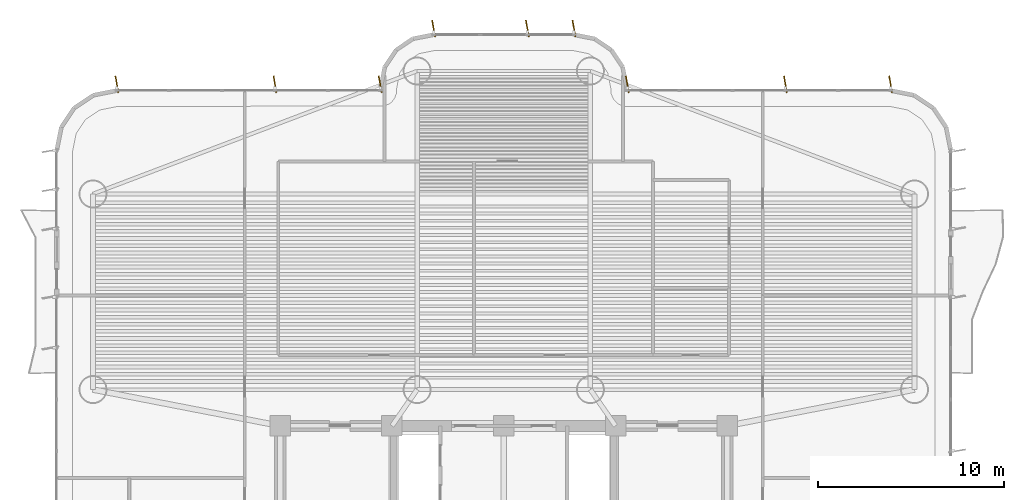
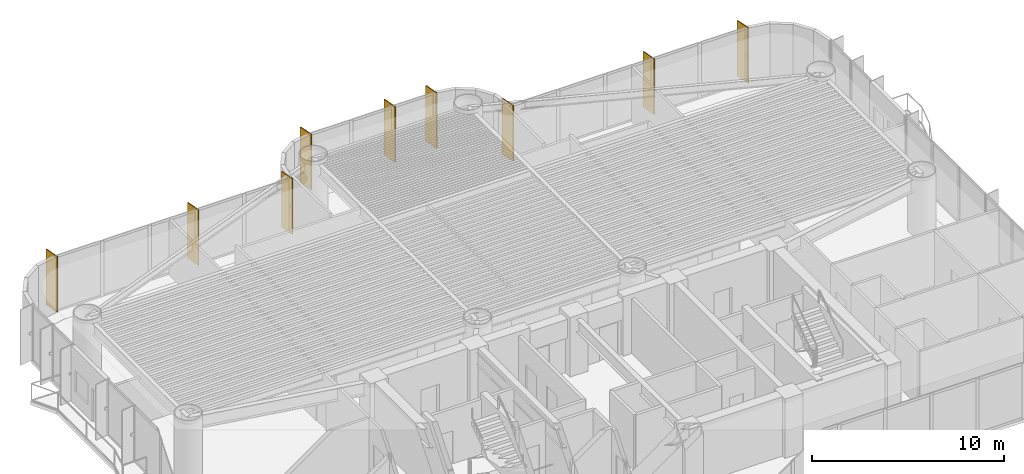
# One storey, part 17 of 17: 9 shading devices.
"""IFC4 building model written with IfcOpenShell, lengths in metres."""

from ifc_helpers import new_model, si_unit, direction, frame, origin, origin_2d, place, context, subcontext, project, spatial, rectangle, extrude, source, transform, mapped, material, material_profile, profile_set, type_object, element, save


model = new_model("IFC4")

# Units and contexts
model_context = context("Model", 3, precision=1e-05, world=origin(), true_north=direction((0.0, 1.0)))
body_context = subcontext(model_context, "Body", "Model", "MODEL_VIEW")
ifc_project = project(units=[si_unit("LENGTHUNIT", "METRE"), si_unit("AREAUNIT", "SQUARE_METRE"), si_unit("VOLUMEUNIT", "CUBIC_METRE"), si_unit("PLANEANGLEUNIT", "RADIAN"), si_unit("MASSUNIT", "GRAM", prefix="KILO")], contexts=[model_context])

# Site, building, storey
site_placement = place(None, origin())
site = spatial("IfcSite", under=ifc_project, at=site_placement, CompositionType="ELEMENT")
building_placement = place(site_placement, origin())
building = spatial("IfcBuilding", under=site, at=building_placement, Name="Brelvock Crest Care Tower", CompositionType="ELEMENT")
storey_placement = place(building_placement, frame((0.0, 0.0, 45.89990234375)))
storey = spatial("IfcBuildingStorey", under=building, at=storey_placement, Name="L11", CompositionType="ELEMENT", Elevation=45.89990234375)

# Shading devices
ifc_material = material(Name="Aluminium 6063-T6", Category="aluminium")
ifc_material_profile = material_profile(ifc_material, rectangle(XDim=0.054931640625, YDim=0.89990234375, at=origin_2d()), Name="FIN55x900")
ifc_profile_set = profile_set([ifc_material_profile], Name="Aluminium 6063-T6")
shading_device_type = type_object("IfcShadingDeviceType", Name="SHD-FIN1", PredefinedType="USERDEFINED", material=ifc_profile_set)
shared_shape = source(origin(), body_context, "Body", "SweptSolid", [
    extrude(rectangle(XDim=0.054931640625, YDim=0.89990234375, at=origin_2d()), origin(), (0.0, 0.0, 1.0), 3.530029296875),
])
for number, where, z_axis, x_axis, name in (
    (1, (15.232421875, 36.340087890625, 0.0), (0.0, 0.0, 1.0), (0.984807753012, 0.173648177667, 0.0), "L11 Vertical Sunshade Fin E18-01"),
    (2, (23.719970703125, 36.340087890625, 0.0), (0.0, 0.0, 1.0), (0.984807753012, 0.173648177667, 0.0), "L11 Vertical Sunshade Fin E18-04"),
    (3, (29.367431640625, 36.340087890625, 0.0), (0.0, 0.0, 1.0), (0.984807753012, 0.173648177667, 0.0), "L11 Vertical Sunshade Fin E18-06"),
    (4, (32.232421875, 39.340087890625, 0.0), (0.0, 0.0, 1.0), (0.984807753012, 0.173648177667, 0.0), "L11 Vertical Sunshade Fin E24-01"),
    (5, (37.2666015625, 39.340087890625, 0.0), (0.0, 0.0, 1.0), (0.984807753012, 0.173648177667, 0.0), "L11 Vertical Sunshade Fin E24-03"),
    (6, (39.767578125, 39.340087890625, 0.0), (0.0, 0.0, 1.0), (0.984807753012, 0.173648177667, 0.0), "L11 Vertical Sunshade Fin E24-04"),
    (7, (42.632568359375, 36.340087890625, 0.0), (0.0, 0.0, 1.0), (0.984807753012, 0.173648177667, 0.0), "L11 Vertical Sunshade Fin E30-01"),
    (8, (51.1201171875, 36.340087890625, 0.0), (0.0, 0.0, 1.0), (0.984807753012, 0.173648177667, 0.0), "L11 Vertical Sunshade Fin E30-04"),
    (9, (56.767578125, 36.340087890625, 0.0), (0.0, 0.0, 1.0), (0.984807753012, 0.173648177667, 0.0), "L11 Vertical Sunshade Fin E30-06"),
):
    element("IfcShadingDevice", number, at=place(storey_placement, frame(where, z_axis=z_axis, x_axis=x_axis)), inside=storey, type_object=shading_device_type, Name=name, ObjectType="FIN", PredefinedType="USERDEFINED", context=body_context, shape_type="MappedRepresentation", body=[
        mapped(shared_shape, transform((0.0, 0.0, 0.0), x_axis=(1.0, 0.0, 0.0), y_axis=(0.0, 1.0, 0.0), z_axis=(0.0, 0.0, 1.0), scale=1.0)),
    ])

save(model, "model.ifc")
